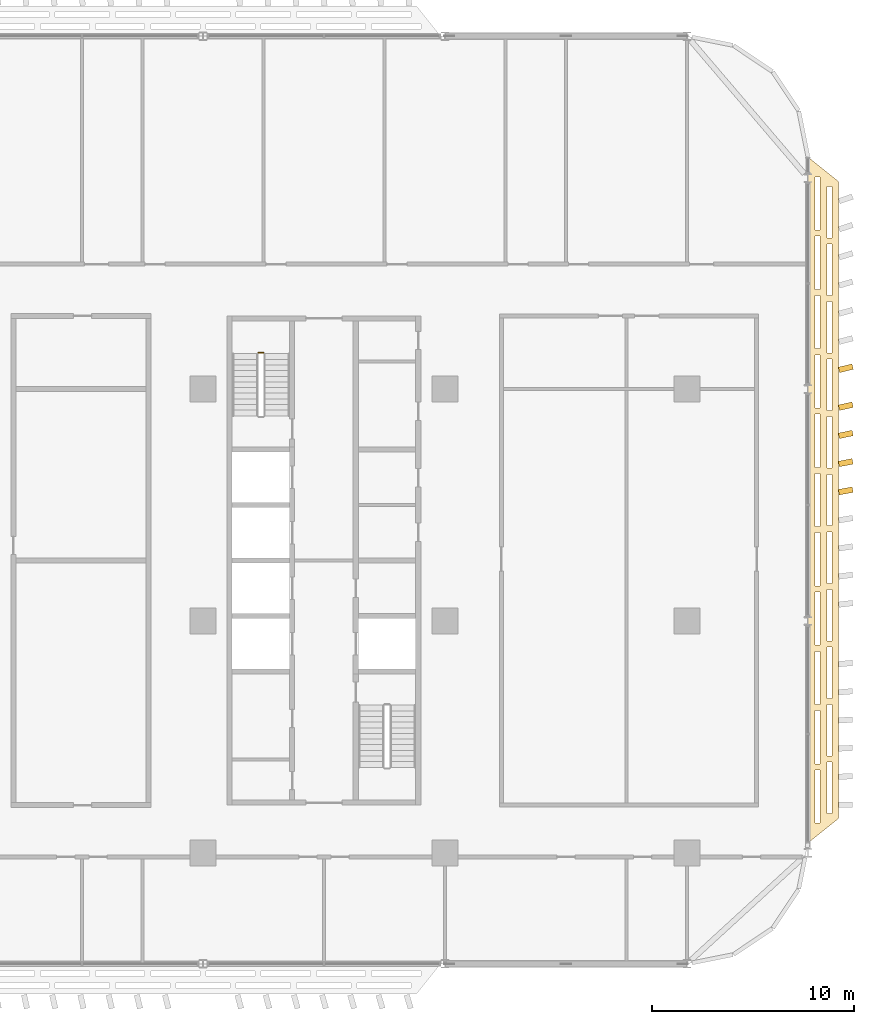
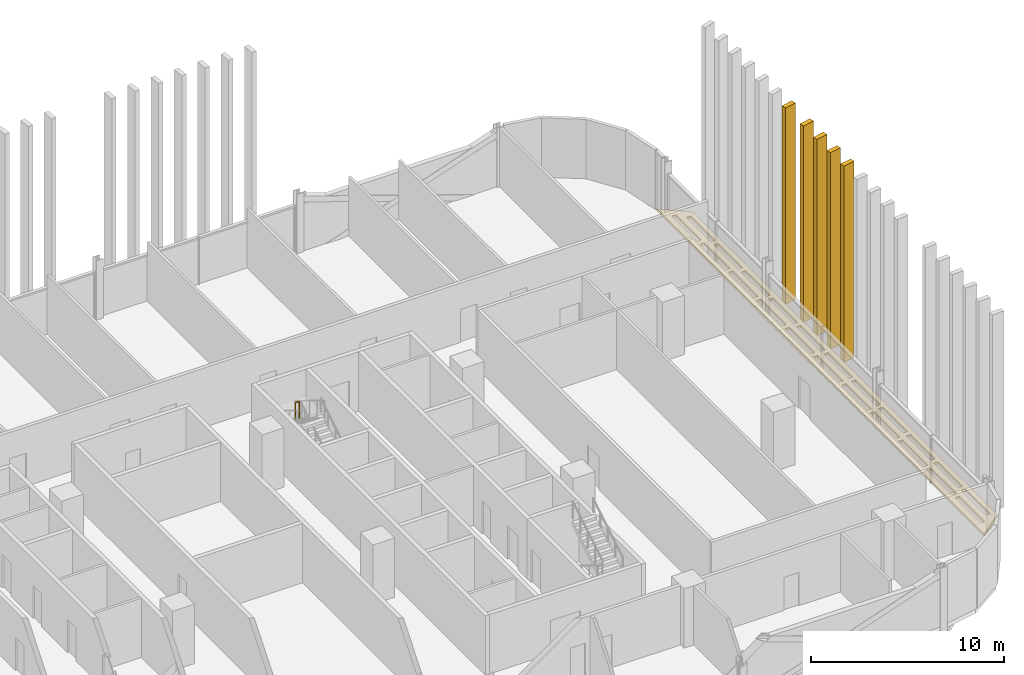
# One storey, part 31 of 32: 6 coverings, 1 railing.
"""IFC4 building model written with IfcOpenShell, lengths in metres."""

from ifc_helpers import new_model, si_unit, direction, frame, origin, origin_2d, place, context, subcontext, project, spatial, polyline, rectangle, circle, outline, extrude, material, layer, layer_set, type_object, element, save


model = new_model("IFC4")

# Units and contexts
model_context = context("Model", 3, precision=1e-05, world=origin(), true_north=direction((0.0, 1.0)))
body_context = subcontext(model_context, "Body", "Model", "MODEL_VIEW")
ifc_project = project(units=[si_unit("LENGTHUNIT", "METRE"), si_unit("AREAUNIT", "SQUARE_METRE"), si_unit("VOLUMEUNIT", "CUBIC_METRE"), si_unit("PLANEANGLEUNIT", "RADIAN"), si_unit("MASSUNIT", "GRAM", prefix="KILO")], contexts=[model_context])

# Site, building, storey
site_placement = place(None, origin())
site = spatial("IfcSite", under=ifc_project, at=site_placement, CompositionType="ELEMENT")
building_placement = place(site_placement, origin())
building = spatial("IfcBuilding", under=site, at=building_placement, Name="Mahtab Terrace Research Tower", CompositionType="ELEMENT")
storey_placement = place(building_placement, frame((0.0, 0.0, 138.39990234375)))
storey = spatial("IfcBuildingStorey", under=building, at=storey_placement, Name="L32", CompositionType="ELEMENT", Elevation=138.39990234375)

# Covering
ifc_material_1 = material(Name="Black anodised aluminium", Category="aluminium")
ifc_layer_1 = layer(ifc_material_1, 0.14990234375)
ifc_layer_set_1 = layer_set([ifc_layer_1], Name="Horizontal sunshade band")
covering_type_1 = type_object("IfcCoveringType", Name="Horizontal sunshade band", PredefinedType="CLADDING", material=ifc_layer_set_1)
covering_placement = place(storey_placement, frame((0.0, 0.0, -0.14990234375)))
element("IfcCovering", 1, at=covering_placement, inside=storey, type_object=covering_type_1, Name="Sunshade band L32 36", PredefinedType="CLADDING", context=body_context, shape_type="SweptSolid", body=[
    extrude(outline(polyline([(48.0, -11.0), (48.0, 23.0), (49.5, 21.800048828125), (49.5, -9.800048828125), (48.0, -11.0)]), holes=[polyline([(48.35009765625, -10.02001953125), (48.35009765625, -7.3798828125), (48.60009765625, -7.3798828125), (48.60009765625, -10.02001953125), (48.35009765625, -10.02001953125)]), polyline([(48.35009765625, -7.080078125), (48.35009765625, -4.43994140625), (48.60009765625, -4.43994140625), (48.60009765625, -7.080078125), (48.35009765625, -7.080078125)]), polyline([(48.35009765625, -4.139892578125), (48.35009765625, -1.5), (48.60009765625, -1.5), (48.60009765625, -4.139892578125), (48.35009765625, -4.139892578125)]), polyline([(48.35009765625, -1.199951171875), (48.35009765625, 1.43994140625), (48.60009765625, 1.43994140625), (48.60009765625, -1.199951171875), (48.35009765625, -1.199951171875)]), polyline([(48.35009765625, 1.739990234375), (48.35009765625, 4.3798828125), (48.60009765625, 4.3798828125), (48.60009765625, 1.739990234375), (48.35009765625, 1.739990234375)]), polyline([(48.35009765625, 4.679931640625), (48.35009765625, 7.320068359375), (48.60009765625, 7.320068359375), (48.60009765625, 4.679931640625), (48.35009765625, 4.679931640625)]), polyline([(48.35009765625, 7.6201171875), (48.35009765625, 10.260009765625), (48.60009765625, 10.260009765625), (48.60009765625, 7.6201171875), (48.35009765625, 7.6201171875)]), polyline([(48.35009765625, 10.56005859375), (48.35009765625, 13.199951171875), (48.60009765625, 13.199951171875), (48.60009765625, 10.56005859375), (48.35009765625, 10.56005859375)]), polyline([(48.35009765625, 13.5), (48.35009765625, 16.139892578125), (48.60009765625, 16.139892578125), (48.60009765625, 13.5), (48.35009765625, 13.5)]), polyline([(48.35009765625, 16.43994140625), (48.35009765625, 19.080078125), (48.60009765625, 19.080078125), (48.60009765625, 16.43994140625), (48.35009765625, 16.43994140625)]), polyline([(48.35009765625, 19.3798828125), (48.35009765625, 22.02001953125), (48.60009765625, 22.02001953125), (48.60009765625, 19.3798828125), (48.35009765625, 19.3798828125)]), polyline([(48.949951171875, -9.5400390625), (48.949951171875, -6.987060546875), (49.199951171875, -6.987060546875), (49.199951171875, -9.5400390625), (48.949951171875, -9.5400390625)]), polyline([(48.949951171875, -6.68701171875), (48.949951171875, -4.135009765625), (49.199951171875, -4.135009765625), (49.199951171875, -6.68701171875), (48.949951171875, -6.68701171875)]), polyline([(48.949951171875, -3.8349609375), (48.949951171875, -1.281982421875), (49.199951171875, -1.281982421875), (49.199951171875, -3.8349609375), (48.949951171875, -3.8349609375)]), polyline([(48.949951171875, -0.98193359375), (48.949951171875, 1.571044921875), (49.199951171875, 1.571044921875), (49.199951171875, -0.98193359375), (48.949951171875, -0.98193359375)]), polyline([(48.949951171875, 1.87109375), (48.949951171875, 4.424072265625), (49.199951171875, 4.424072265625), (49.199951171875, 1.87109375), (48.949951171875, 1.87109375)]), polyline([(48.949951171875, 4.72412109375), (48.949951171875, 7.27587890625), (49.199951171875, 7.27587890625), (49.199951171875, 4.72412109375), (48.949951171875, 4.72412109375)]), polyline([(48.949951171875, 7.575927734375), (48.949951171875, 10.12890625), (49.199951171875, 10.12890625), (49.199951171875, 7.575927734375), (48.949951171875, 7.575927734375)]), polyline([(48.949951171875, 10.428955078125), (48.949951171875, 12.98193359375), (49.199951171875, 12.98193359375), (49.199951171875, 10.428955078125), (48.949951171875, 10.428955078125)]), polyline([(48.949951171875, 13.281982421875), (48.949951171875, 15.8349609375), (49.199951171875, 15.8349609375), (49.199951171875, 13.281982421875), (48.949951171875, 13.281982421875)]), polyline([(48.949951171875, 16.135009765625), (48.949951171875, 18.68701171875), (49.199951171875, 18.68701171875), (49.199951171875, 16.135009765625), (48.949951171875, 16.135009765625)]), polyline([(48.949951171875, 18.987060546875), (48.949951171875, 21.5400390625), (49.199951171875, 21.5400390625), (49.199951171875, 18.987060546875), (48.949951171875, 18.987060546875)])]), origin(), (0.0, 0.0, 1.0), 0.14990234375),
])

# Railing
ifc_material_2 = material(Name="Stainless steel AISI 304", Category="steel")
railing_type = type_object("IfcRailingType", Name="Stair guard 1100", PredefinedType="GUARDRAIL", material=ifc_material_2)
railing_placement = place(storey_placement, frame((21.0, 13.304931640625, 2.050048828125)))
element("IfcRailing", 2, at=railing_placement, inside=storey, type_object=railing_type, Name="L32 ST3 stair guard 2", PredefinedType="GUARDRAIL", context=body_context, shape_type="SweptSolid", body=[
    extrude(circle(Radius=0.02392578125, at=origin_2d()), frame((0.0, 0.0, 1.076171875), z_axis=(-1.0, 0.0, 0.0), x_axis=(0.0, -1.0, 0.0)), (0.0, 0.0, 1.0), 0.25),
    extrude(circle(Radius=0.02099609375, at=origin_2d()), origin(), (0.0, 0.0, 1.0), 1.052001953125),
    extrude(circle(Radius=0.02099609375, at=origin_2d()), frame((-0.25, 0.0, 0.0)), (0.0, 0.0, 1.0), 1.052001953125),
])

# Coverings
ifc_material_3 = material(Name="Bronze anodised aluminium", Category="aluminium")
ifc_layer_2 = layer(ifc_material_3, 0.1201171875)
ifc_layer_set_2 = layer_set([ifc_layer_2], Name="Vertical fin 700")
covering_type_2 = type_object("IfcCoveringType", Name="Vertical fin 700", PredefinedType="CLADDING", material=ifc_layer_set_2)
for number, where, z_axis, x_axis, name in (
    (3, (49.869384765625, 6.449951171875, -0.14990234375), (0.0, 0.0, 1.0), (-0.178196109459, 0.983994993165, 0.0), "Fin L32 E5"),
    (4, (49.870361328125, 7.85009765625, -0.14990234375), (0.0, 0.0, 1.0), (-0.192320470844, 0.981332174391, 0.0), "Fin L32 E6"),
    (5, (49.871337890625, 9.25, -0.14990234375), (0.0, 0.0, 1.0), (-0.206405101092, 0.97846662398, 0.0), "Fin L32 E7"),
    (6, (49.872314453125, 10.64990234375, -0.14990234375), (0.0, 0.0, 1.0), (-0.220447090484, 0.975398933923, 0.0), "Fin L32 E8"),
    (7, (49.873291015625, 12.531005859375, -0.14990234375), (0.0, 0.0, 1.0), (-0.239241284639, 0.970960147341, 0.0), "Fin L32 E1"),
):
    element("IfcCovering", number, at=place(storey_placement, frame(where, z_axis=z_axis, x_axis=x_axis)), inside=storey, type_object=covering_type_2, Name=name, PredefinedType="CLADDING", context=body_context, shape_type="SweptSolid", body=[
        extrude(rectangle(XDim=0.280029296875, YDim=0.699951171875, at=origin_2d()), origin(), (0.0, 0.0, 1.0), 12.449951171875),
    ])

save(model, "model.ifc")
